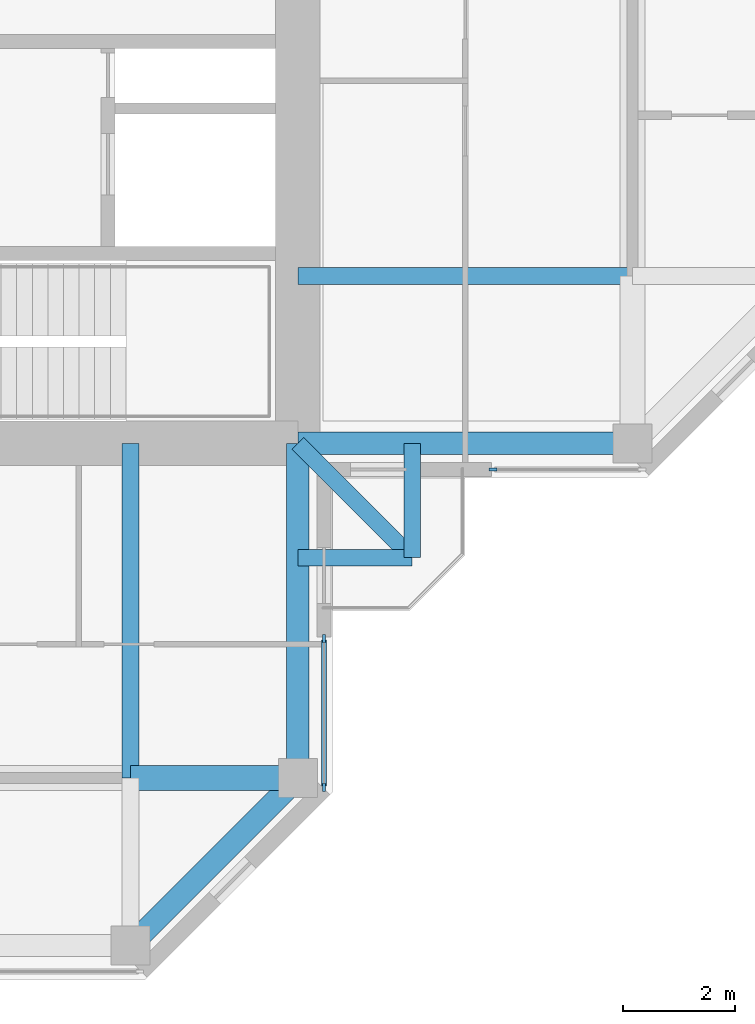
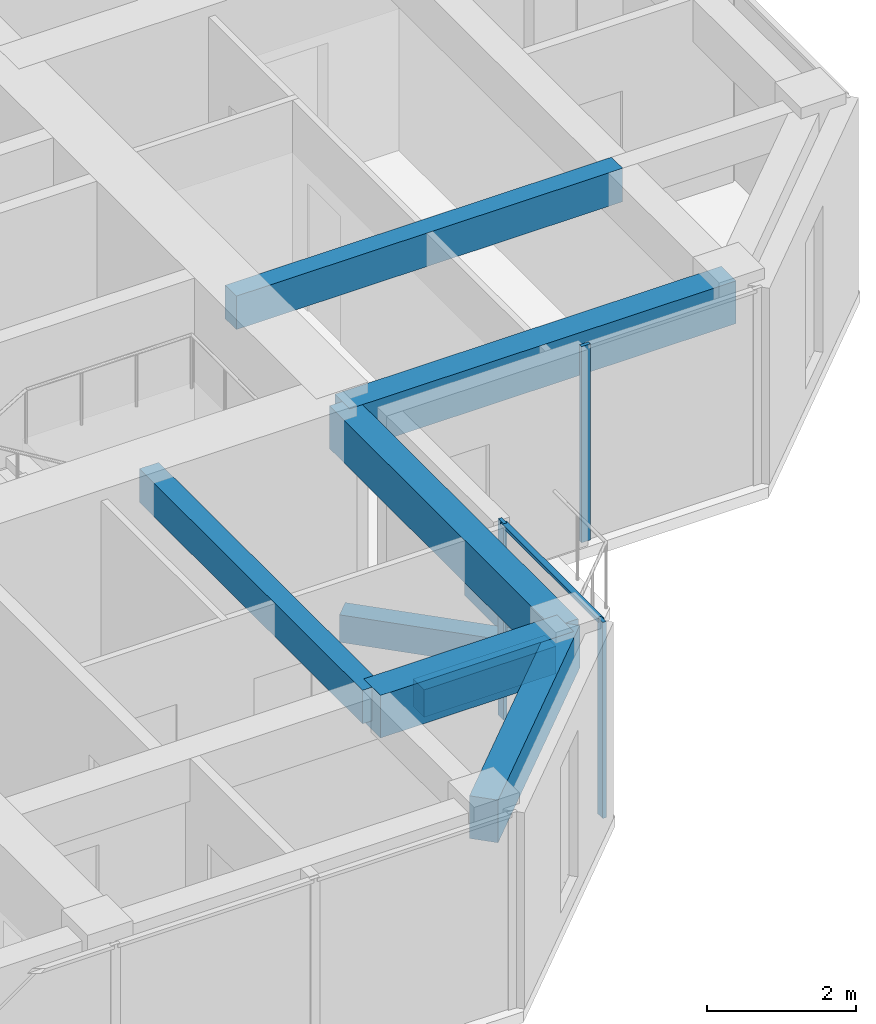
# One storey, part 3 of 13: 9 beams, 4 members, 2 elements without a shape of their own.
"""IFC4 building model written with IfcOpenShell, lengths in metres."""

from ifc_helpers import new_model, si_unit, direction, frame, origin, origin_2d, place, context, subcontext, project, spatial, rectangle, extrude, material, material_profile, profile_set, type_object, element, aggregate, save


model = new_model("IFC4")

# Units and contexts
model_context = context("Model", 3, precision=1e-05, world=origin(), true_north=direction((0.0, 1.0)))
body_context = subcontext(model_context, "Body", "Model", "MODEL_VIEW")
ifc_project = project(units=[si_unit("LENGTHUNIT", "METRE"), si_unit("AREAUNIT", "SQUARE_METRE"), si_unit("VOLUMEUNIT", "CUBIC_METRE"), si_unit("PLANEANGLEUNIT", "RADIAN"), si_unit("MASSUNIT", "GRAM", prefix="KILO")], contexts=[model_context])

# Site, building, storey
site_placement = place(None, origin())
site = spatial("IfcSite", under=ifc_project, at=site_placement, CompositionType="ELEMENT")
building_placement = place(site_placement, origin())
building = spatial("IfcBuilding", under=site, at=building_placement, Name="Torre Cruceta", CompositionType="ELEMENT")
storey_placement = place(building_placement, frame((0.0, 0.0, 264.5)))
storey = spatial("IfcBuildingStorey", under=building, at=storey_placement, Name="L68", CompositionType="ELEMENT", Elevation=264.5)

# Beams
ifc_material_1 = material(Name="Concrete G60 (fck 60 MPa)", Category="concrete")
ifc_material_profile_1 = material_profile(ifc_material_1, rectangle(XDim=0.300048828125, YDim=0.449951171875, at=origin_2d()), Name="RC 300X450")
ifc_profile_set_1 = profile_set([ifc_material_profile_1], Name="Concrete G60 (fck 60 MPa)")
beam_type_1 = type_object("IfcBeamType", Name="BALCONY CANTILEVER BEAM RC 300X450", PredefinedType="BEAM", material=ifc_profile_set_1)
beam_1_placement = place(storey_placement, frame((9.0, -9.0, -0.405029296875), z_axis=(0.707106781187, -0.707106781187, 0.0), x_axis=(0.707106781187, 0.707106781187, 0.0)))
element("IfcBeam", 1, at=beam_1_placement, inside=storey, type_object=beam_type_1, Name="BB1 balcony beam L68 S", PredefinedType="BEAM", context=body_context, shape_type="SweptSolid", body=[
    extrude(rectangle(XDim=0.300048828125, YDim=0.449951171875, at=origin_2d()), origin(), (0.0, 0.0, 1.0), 2.89990234375),
])
for number, where, z_axis, x_axis, name in (
    (2, (11.050537109375, -9.0, -0.405029296875), (0.0, -1.0, 0.0), (1.0, 0.0, 0.0), "BB1 balcony edge beam L68 S-X"),
    (3, (9.0, -11.050537109375, -0.405029296875), (1.0, 0.0, 0.0), (0.0, 1.0, 0.0), "BB1 balcony edge beam L68 S-Y"),
):
    element("IfcBeam", number, at=place(storey_placement, frame(where, z_axis=z_axis, x_axis=x_axis)), inside=storey, type_object=beam_type_1, Name=name, PredefinedType="BEAM", context=body_context, shape_type="SweptSolid", body=[
        extrude(rectangle(XDim=0.300048828125, YDim=0.449951171875, at=origin_2d()), origin(), (0.0, 0.0, 1.0), 2.050537109375),
    ])
ifc_material_2 = material(Name="Concrete G60 (fck 60 MPa)", Category="concrete")
ifc_material_profile_2 = material_profile(ifc_material_2, rectangle(XDim=0.300048828125, YDim=0.550048828125, at=origin_2d()), Name="RC 300X550")
ifc_profile_set_2 = profile_set([ifc_material_profile_2], Name="Concrete G60 (fck 60 MPa)")
beam_type_2 = type_object("IfcBeamType", Name="COLUMN LINE BEAM RC 300X550", PredefinedType="BEAM", material=ifc_profile_set_2)
for number, where, z_axis, x_axis, name in (
    (4, (9.0, -6.0, 2.945068359375), (1.0, 0.0, 0.0), (0.0, 1.0, 0.0), "LB10 L68 E col- 1"),
    (5, (6.0, -9.0, 2.945068359375), (0.0, -1.0, 0.0), (1.0, 0.0, 0.0), "LB10 L68 S col+ 1"),
):
    element("IfcBeam", number, at=place(storey_placement, frame(where, z_axis=z_axis, x_axis=x_axis)), inside=storey, type_object=beam_type_2, Name=name, PredefinedType="BEAM", context=body_context, shape_type="SweptSolid", body=[
        extrude(rectangle(XDim=0.300048828125, YDim=0.550048828125, at=origin_2d()), origin(), (0.0, 0.0, 1.0), 6.0),
    ])
ifc_material_3 = material(Name="Concrete G60 (fck 60 MPa)", Category="concrete")
ifc_material_profile_3 = material_profile(ifc_material_3, rectangle(XDim=0.449951171875, YDim=0.699951171875, at=origin_2d()), Name="RC 450X700")
ifc_profile_set_3 = profile_set([ifc_material_profile_3], Name="Concrete G60 (fck 60 MPa)")
beam_type_3 = type_object("IfcBeamType", Name="CROSS BEAM RC 450X700", PredefinedType="BEAM", material=ifc_profile_set_3)
beam_2_placement = place(storey_placement, frame((6.0, -15.0, 2.8701171875), z_axis=(1.0, 0.0, 0.0), x_axis=(0.0, 1.0, 0.0)))
element("IfcBeam", 6, at=beam_2_placement, inside=storey, type_object=beam_type_3, Name="GB8 L68 S cross15 4", PredefinedType="BEAM", context=body_context, shape_type="SweptSolid", body=[
    extrude(rectangle(XDim=0.449951171875, YDim=0.699951171875, at=origin_2d()), origin(), (0.0, 0.0, 1.0), 3.0),
])

# Curtain wall, member
ifc_material_4 = material(Name="Aluminium unitised curtain wall", Category="aluminium")
curtain_wall_type = type_object("IfcCurtainWallType", Name="CURTAIN WALL CW-E CO-LIVING TOP", PredefinedType="USERDEFINED", material=ifc_material_4)
curtain_wall_1_placement = place(storey_placement, origin())
curtain_wall_1 = element("IfcCurtainWall", 7, at=curtain_wall_1_placement, inside=storey, type_object=curtain_wall_type, Name="CW-E L68 E side 00", ObjectType="UNITISED", PredefinedType="USERDEFINED")
ifc_material_5 = material(Name="Aluminium mullion", Category="aluminium")
ifc_material_profile_4 = material_profile(ifc_material_5, rectangle(XDim=0.054931640625, YDim=0.139892578125, at=origin_2d()), Name="AL 55X140")
ifc_profile_set_4 = profile_set([ifc_material_profile_4], Name="Aluminium mullion")
member_type_1 = type_object("IfcMemberType", Name="CW-E MULLION 55X140", PredefinedType="MULLION", material=ifc_profile_set_4)
member_1_placement = place(storey_placement, frame((12.49755859375, -9.469970703125, 0.0), z_axis=(0.0, 0.0, 1.0), x_axis=(0.0, 1.0, 0.0)))
member_1 = element("IfcMember", 8, at=member_1_placement, type_object=member_type_1, Name="CW-E mullion 1", PredefinedType="MULLION", context=body_context, shape_type="SweptSolid", body=[
    extrude(rectangle(XDim=0.054931640625, YDim=0.139892578125, at=origin_2d()), origin(), (0.0, 0.0, 1.0), 3.219970703125),
])
aggregate(curtain_wall_1, [member_1])

# Curtain wall, members
curtain_wall_2_placement = place(storey_placement, origin())
curtain_wall_2 = element("IfcCurtainWall", 9, at=curtain_wall_2_placement, inside=storey, type_object=curtain_wall_type, Name="CW-E L68 S side 19", ObjectType="UNITISED", PredefinedType="USERDEFINED")
member_2_placement = place(storey_placement, frame((9.469970703125, -15.167236328125, 0.0), z_axis=(0.0, 0.0, 1.0), x_axis=(-1.0, 0.0, 0.0)))
member_2 = element("IfcMember", 10, at=member_2_placement, type_object=member_type_1, Name="CW-E mullion 1", PredefinedType="MULLION", context=body_context, shape_type="SweptSolid", body=[
    extrude(rectangle(XDim=0.054931640625, YDim=0.139892578125, at=origin_2d()), origin(), (0.0, 0.0, 1.0), 3.219970703125),
])
member_3_placement = place(storey_placement, frame((9.469970703125, -12.49755859375, 0.0), z_axis=(0.0, 0.0, 1.0), x_axis=(-1.0, 0.0, 0.0)))
member_3 = element("IfcMember", 11, at=member_3_placement, type_object=member_type_1, Name="CW-E mullion 2", PredefinedType="MULLION", context=body_context, shape_type="SweptSolid", body=[
    extrude(rectangle(XDim=0.054931640625, YDim=0.139892578125, at=origin_2d()), origin(), (0.0, 0.0, 1.0), 3.219970703125),
])
ifc_material_6 = material(Name="Aluminium transom", Category="aluminium")
ifc_material_profile_5 = material_profile(ifc_material_6, rectangle(XDim=0.090087890625, YDim=0.054931640625, at=origin_2d()), Name="AL 90X55")
ifc_profile_set_5 = profile_set([ifc_material_profile_5], Name="Aluminium transom")
member_type_2 = type_object("IfcMemberType", Name="CW-E TRANSOM 55X90", PredefinedType="USERDEFINED", material=ifc_profile_set_5)
member_4_placement = place(storey_placement, frame((9.469970703125, -15.1396484375, 3.1923828125), z_axis=(0.0, 1.0, 0.0), x_axis=(-1.0, 0.0, 0.0)))
member_4 = element("IfcMember", 12, at=member_4_placement, type_object=member_type_2, Name="CW-E transom 1", ObjectType="TRANSOM", PredefinedType="USERDEFINED", context=body_context, shape_type="SweptSolid", body=[
    extrude(rectangle(XDim=0.090087890625, YDim=0.054931640625, at=origin_2d()), origin(), (0.0, 0.0, 1.0), 2.61474609375),
])
aggregate(curtain_wall_2, [member_2, member_3, member_4])

# Beams
ifc_material_7 = material(Name="Concrete G60 (fck 60 MPa)", Category="concrete")
ifc_material_profile_6 = material_profile(ifc_material_7, rectangle(XDim=0.39990234375, YDim=0.699951171875, at=origin_2d()), Name="RC 400X700")
ifc_profile_set_6 = profile_set([ifc_material_profile_6], Name="Concrete G60 (fck 60 MPa)")
beam_type_4 = type_object("IfcBeamType", Name="SPANDREL BEAM RC 400X700", PredefinedType="SPANDREL", material=ifc_profile_set_6)
for number, where, z_axis, x_axis, name in (
    (13, (9.0, -9.0, 2.8701171875), (1.0, 0.0, 0.0), (0.0, 1.0, 0.0), "SB8 L68 E side- 1"),
    (14, (9.0, -9.0, 2.8701171875), (0.0, -1.0, 0.0), (1.0, 0.0, 0.0), "SB8 L68 S side+ 1"),
):
    element("IfcBeam", number, at=place(storey_placement, frame(where, z_axis=z_axis, x_axis=x_axis)), inside=storey, type_object=beam_type_4, Name=name, PredefinedType="SPANDREL", context=body_context, shape_type="SweptSolid", body=[
        extrude(rectangle(XDim=0.39990234375, YDim=0.699951171875, at=origin_2d()), origin(), (0.0, 0.0, 1.0), 6.0),
    ])
beam_3_placement = place(storey_placement, frame((9.0, -15.0, 2.8701171875), z_axis=(-0.707106781187, -0.707106781187, 0.0), x_axis=(0.707106781187, -0.707106781187, 0.0)))
element("IfcBeam", 15, at=beam_3_placement, inside=storey, type_object=beam_type_4, Name="SB8 L68 S side+ 2", PredefinedType="SPANDREL", context=body_context, shape_type="SweptSolid", body=[
    extrude(rectangle(XDim=0.39990234375, YDim=0.699951171875, at=origin_2d()), origin(), (0.0, 0.0, 1.0), 4.24267578125),
])

save(model, "model.ifc")
